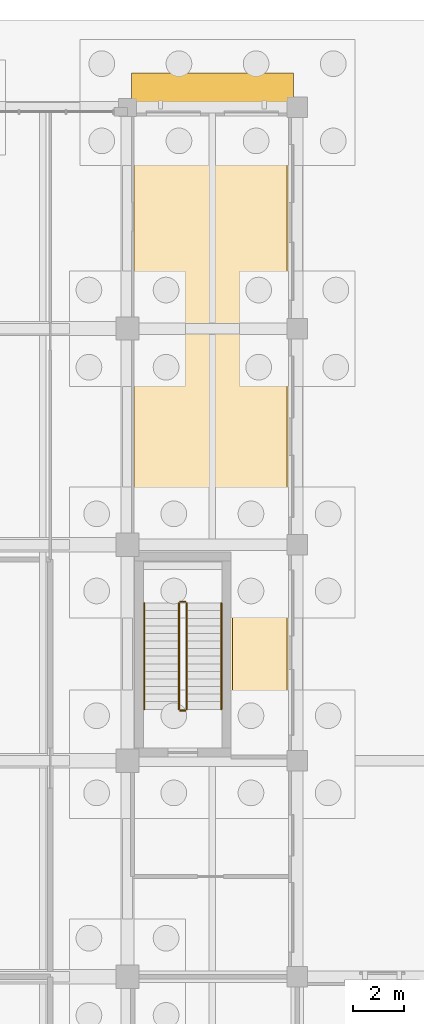
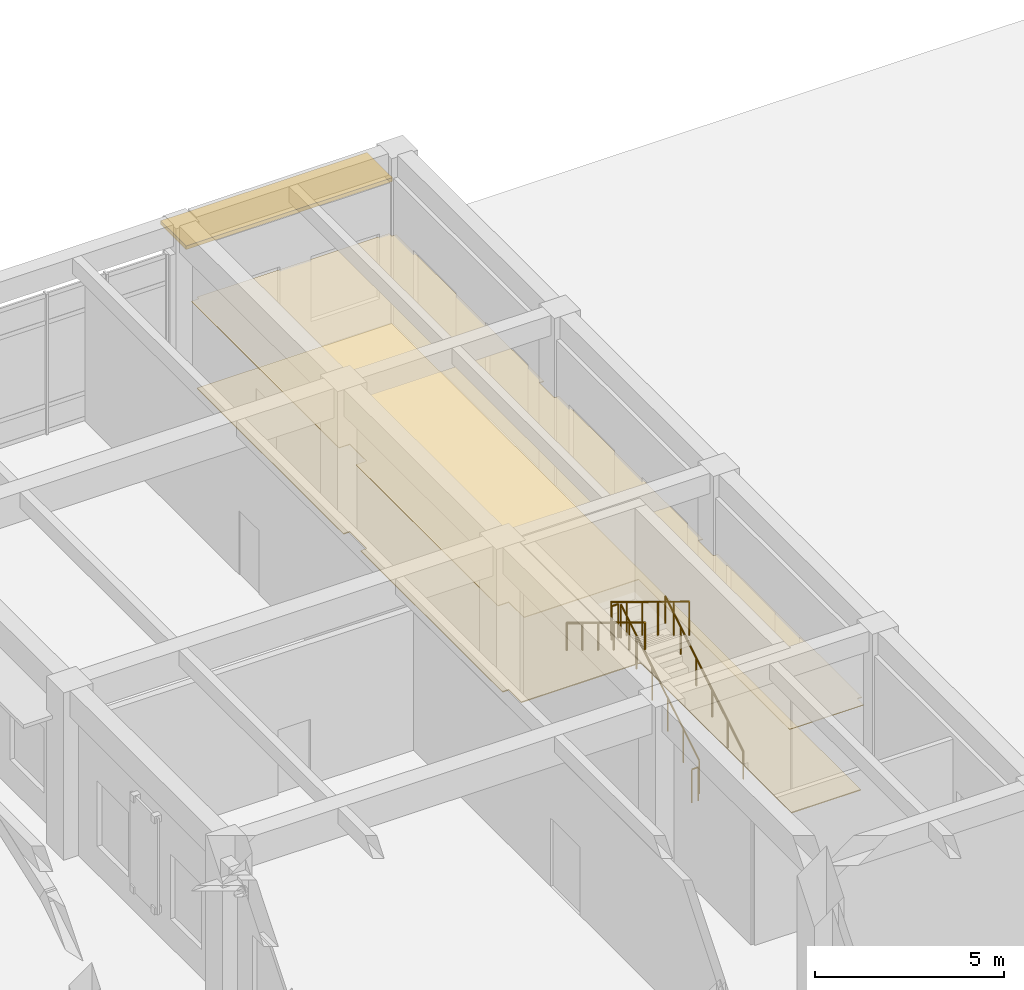
# One storey, part 81 of 82: 6 railings, 2 coverings, 1 shading device.
"""IFC4 building model written with IfcOpenShell, lengths in metres."""

from ifc_helpers import new_model, si_unit, direction, frame, origin, origin_2d, place, context, subcontext, project, spatial, polyline, rectangle, circle, outline, extrude, material, layer, layer_set, type_object, element, save


model = new_model("IFC4")

# Units and contexts
model_context = context("Model", 3, precision=1e-05, world=origin(), true_north=direction((0.0, 1.0)))
body_context = subcontext(model_context, "Body", "Model", "MODEL_VIEW")
ifc_project = project(units=[si_unit("LENGTHUNIT", "METRE"), si_unit("AREAUNIT", "SQUARE_METRE"), si_unit("VOLUMEUNIT", "CUBIC_METRE"), si_unit("PLANEANGLEUNIT", "RADIAN"), si_unit("MASSUNIT", "GRAM", prefix="KILO")], contexts=[model_context])

# Site, building, storey
site_placement = place(None, origin())
site = spatial("IfcSite", under=ifc_project, at=site_placement, CompositionType="ELEMENT")
building_placement = place(site_placement, origin())
building = spatial("IfcBuilding", under=site, at=building_placement, Name="Kolvaren Faculty of Natural Sciences", CompositionType="ELEMENT")
storey_placement = place(building_placement, origin())
storey = spatial("IfcBuildingStorey", under=building, at=storey_placement, Name="L00", CompositionType="ELEMENT", Elevation=0.0)

# Covering
ifc_material_1 = material(Name="Perforated mineral-fibre acoustic suspended ceiling tile")
ifc_layer_1 = layer(ifc_material_1, 0.02490234375)
ifc_layer_set_1 = layer_set([ifc_layer_1], Name="Perforated mineral-fibre acoustic suspended ceiling tile")
covering_type_1 = type_object("IfcCoveringType", Name="AcousticSuspendedCeiling_25", PredefinedType="CEILING", material=ifc_layer_set_1)
covering_1_placement = place(storey_placement, frame((0.0, 0.0, 2.824951171875)))
element("IfcCovering", 1, at=covering_1_placement, inside=storey, type_object=covering_type_1, Name="L00 Learning Commons Rare Book Archive acoustic ceiling", PredefinedType="CEILING", context=body_context, shape_type="SweptSolid", body=[
    extrude(outline(polyline([(132.64990234375, 100.64501953125), (132.64990234375, 101.449951171875), (132.320068359375, 101.449951171875), (132.320068359375, 108.949951171875), (132.64990234375, 108.949951171875), (132.64990234375, 109.85009765625), (132.320068359375, 109.85009765625), (132.320068359375, 117.64990234375), (132.550048828125, 117.64990234375), (132.550048828125, 117.739990234375), (138.39990234375, 117.739990234375), (138.39990234375, 117.60009765625), (138.5400390625, 117.60009765625), (138.5400390625, 109.800048828125), (138.39990234375, 109.800048828125), (138.39990234375, 109.0), (138.5400390625, 109.0), (138.5400390625, 101.39990234375), (138.39990234375, 101.39990234375), (138.39990234375, 100.60009765625), (138.5400390625, 100.60009765625), (138.5400390625, 93.0), (138.39990234375, 93.0), (138.39990234375, 92.669921875), (136.14501953125, 92.669921875), (136.14501953125, 100.64501953125), (132.64990234375, 100.64501953125)])), origin(), (0.0, 0.0, 1.0), 0.025146484375),
])

# Shading device
ifc_material_2 = material(Name="Precast concrete C35/45", Category="concrete")
ifc_layer_2 = layer(ifc_material_2, 0.1201171875)
ifc_layer_set_2 = layer_set([ifc_layer_2], Name="Precast concrete C35/45")
shading_device_type = type_object("IfcShadingDeviceType", Name="ChhajjaSolarHood_1350", PredefinedType="AWNING", material=ifc_layer_set_2)
shading_device_placement = place(storey_placement, frame((135.5, 118.655029296875, 4.294921875), z_axis=(0.0, 0.0, 1.0), x_axis=(1.0, 0.0, 0.0)))
element("IfcShadingDevice", 2, at=shading_device_placement, inside=storey, type_object=shading_device_type, Name="L00 precast sandstone chhajja solar hood 20", PredefinedType="AWNING", context=body_context, shape_type="SweptSolid", body=[
    extrude(rectangle(XDim=6.300048828125, YDim=1.35009765625, at=origin_2d()), origin(), (0.0, 0.0, 1.0), 0.1201171875),
])

# Railings
ifc_material_3 = material(Name="Structural steel EN 10210-1 S355J2H", Category="steel")
ifc_layer_3 = layer(ifc_material_3, 0.048095703125)
ifc_layer_set_3 = layer_set([ifc_layer_3], Name="Structural steel EN 10210-1 S355J2H")
railing_type_1 = type_object("IfcRailingType", Name="StairPitchHandrail_920", PredefinedType="HANDRAIL", material=ifc_layer_set_3)
railing_1_placement = place(storey_placement, frame((135.85009765625, 94.60009765625, 0.179931640625)))
element("IfcRailing", 3, at=railing_1_placement, inside=storey, type_object=railing_type_1, Name="L00 ST-7 stair handrail 1", PredefinedType="HANDRAIL", context=body_context, shape_type="SweptSolid", body=[
    extrude(circle(Radius=0.02392578125, at=origin_2d()), frame((0.0, 0.0, 0.8759765625), z_axis=(0.0, 0.853630913754, 0.520878357281), x_axis=(-1.0, 0.0, 0.0)), (0.0, 0.0, 1.0), 4.838134765625),
    extrude(circle(Radius=0.02099609375, at=origin_2d()), origin(), (0.0, 0.0, 1.0), 0.851806640625),
    extrude(circle(Radius=0.02099609375, at=origin_2d()), frame((0.0, 0.825927734375, 0.50390625)), (0.0, 0.0, 1.0), 0.851806640625),
    extrude(circle(Radius=0.02099609375, at=origin_2d()), frame((0.0, 1.65185546875, 1.008056640625)), (0.0, 0.0, 1.0), 0.851806640625),
    extrude(circle(Radius=0.02099609375, at=origin_2d()), frame((0.0, 2.47802734375, 1.511962890625)), (0.0, 0.0, 1.0), 0.851806640625),
    extrude(circle(Radius=0.02099609375, at=origin_2d()), frame((0.0, 3.303955078125, 2.01611328125)), (0.0, 0.0, 1.0), 0.851806640625),
    extrude(circle(Radius=0.02099609375, at=origin_2d()), frame((0.0, 4.1298828125, 2.52001953125)), (0.0, 0.0, 1.0), 0.851806640625),
])
railing_2_placement = place(storey_placement, frame((132.85009765625, 98.72998046875, 2.8798828125)))
element("IfcRailing", 4, at=railing_2_placement, inside=storey, type_object=railing_type_1, Name="L00 ST-7 stair handrail 2", PredefinedType="HANDRAIL", context=body_context, shape_type="SweptSolid", body=[
    extrude(circle(Radius=0.02392578125, at=origin_2d()), frame((0.0, 0.0, 0.8759765625), z_axis=(0.0, -0.853630913754, 0.520878357281), x_axis=(1.0, 0.0, 0.0)), (0.0, 0.0, 1.0), 4.838134765625),
    extrude(circle(Radius=0.02099609375, at=origin_2d()), origin(), (0.0, 0.0, 1.0), 0.851806640625),
    extrude(circle(Radius=0.02099609375, at=origin_2d()), frame((0.0, -0.825927734375, 0.50390625)), (0.0, 0.0, 1.0), 0.851806640625),
    extrude(circle(Radius=0.02099609375, at=origin_2d()), frame((0.0, -1.65185546875, 1.008056640625)), (0.0, 0.0, 1.0), 0.851806640625),
    extrude(circle(Radius=0.02099609375, at=origin_2d()), frame((0.0, -2.47802734375, 1.511962890625)), (0.0, 0.0, 1.0), 0.851806640625),
    extrude(circle(Radius=0.02099609375, at=origin_2d()), frame((0.0, -3.303955078125, 2.01611328125)), (0.0, 0.0, 1.0), 0.851806640625),
    extrude(circle(Radius=0.02099609375, at=origin_2d()), frame((0.0, -4.1298828125, 2.52001953125)), (0.0, 0.0, 1.0), 0.851806640625),
])
ifc_layer_4 = layer(ifc_material_3, 0.048095703125)
ifc_layer_set_4 = layer_set([ifc_layer_4], Name="Structural steel EN 10210-1 S355J2H")
railing_type_2 = type_object("IfcRailingType", Name="StairWellGuard_1100", PredefinedType="BALUSTRADE", material=ifc_layer_set_4)
railing_3_placement = place(storey_placement, frame((134.5, 94.60009765625, 0.179931640625)))
element("IfcRailing", 5, at=railing_3_placement, inside=storey, type_object=railing_type_2, Name="L00 ST-7 stair guard 1", PredefinedType="BALUSTRADE", context=body_context, shape_type="SweptSolid", body=[
    extrude(circle(Radius=0.02392578125, at=origin_2d()), frame((0.0, 0.0, 1.076171875), z_axis=(0.0, 0.853630913754, 0.520878357281), x_axis=(-1.0, 0.0, 0.0)), (0.0, 0.0, 1.0), 4.838134765625),
    extrude(circle(Radius=0.02099609375, at=origin_2d()), origin(), (0.0, 0.0, 1.0), 1.052001953125),
    extrude(circle(Radius=0.02099609375, at=origin_2d()), frame((0.0, 0.825927734375, 0.50390625)), (0.0, 0.0, 1.0), 1.052001953125),
    extrude(circle(Radius=0.02099609375, at=origin_2d()), frame((0.0, 1.65185546875, 1.008056640625)), (0.0, 0.0, 1.0), 1.052001953125),
    extrude(circle(Radius=0.02099609375, at=origin_2d()), frame((0.0, 2.47802734375, 1.511962890625)), (0.0, 0.0, 1.0), 1.052001953125),
    extrude(circle(Radius=0.02099609375, at=origin_2d()), frame((0.0, 3.303955078125, 2.01611328125)), (0.0, 0.0, 1.0), 1.052001953125),
    extrude(circle(Radius=0.02099609375, at=origin_2d()), frame((0.0, 4.1298828125, 2.52001953125)), (0.0, 0.0, 1.0), 1.052001953125),
])
railing_4_placement = place(storey_placement, frame((134.449951171875, 98.780029296875, 2.699951171875)))
element("IfcRailing", 6, at=railing_4_placement, inside=storey, type_object=railing_type_2, Name="L00 ST-7 stair guard 2", PredefinedType="BALUSTRADE", context=body_context, shape_type="SweptSolid", body=[
    extrude(circle(Radius=0.02392578125, at=origin_2d()), frame((0.0, 0.0, 1.076171875), z_axis=(-1.0, 0.0, 0.0), x_axis=(0.0, -1.0, 0.0)), (0.0, 0.0, 1.0), 0.199951171875),
    extrude(circle(Radius=0.02099609375, at=origin_2d()), origin(), (0.0, 0.0, 1.0), 1.052001953125),
    extrude(circle(Radius=0.02099609375, at=origin_2d()), frame((-0.199951171875, 0.0, 0.0)), (0.0, 0.0, 1.0), 1.052001953125),
])
railing_5_placement = place(storey_placement, frame((134.199951171875, 98.72998046875, 2.8798828125)))
element("IfcRailing", 7, at=railing_5_placement, inside=storey, type_object=railing_type_2, Name="L00 ST-7 stair guard 3", PredefinedType="BALUSTRADE", context=body_context, shape_type="SweptSolid", body=[
    extrude(circle(Radius=0.02392578125, at=origin_2d()), frame((0.0, 0.0, 1.076171875), z_axis=(0.0, -0.853630913754, 0.520878357281), x_axis=(1.0, 0.0, 0.0)), (0.0, 0.0, 1.0), 4.838134765625),
    extrude(circle(Radius=0.02099609375, at=origin_2d()), origin(), (0.0, 0.0, 1.0), 1.052001953125),
    extrude(circle(Radius=0.02099609375, at=origin_2d()), frame((0.0, -0.825927734375, 0.50390625)), (0.0, 0.0, 1.0), 1.052001953125),
    extrude(circle(Radius=0.02099609375, at=origin_2d()), frame((0.0, -1.65185546875, 1.008056640625)), (0.0, 0.0, 1.0), 1.052001953125),
    extrude(circle(Radius=0.02099609375, at=origin_2d()), frame((0.0, -2.47802734375, 1.511962890625)), (0.0, 0.0, 1.0), 1.052001953125),
    extrude(circle(Radius=0.02099609375, at=origin_2d()), frame((0.0, -3.303955078125, 2.01611328125)), (0.0, 0.0, 1.0), 1.052001953125),
    extrude(circle(Radius=0.02099609375, at=origin_2d()), frame((0.0, -4.1298828125, 2.52001953125)), (0.0, 0.0, 1.0), 1.052001953125),
])
railing_6_placement = place(storey_placement, frame((134.449951171875, 94.550048828125, 0.0)))
element("IfcRailing", 8, at=railing_6_placement, inside=storey, type_object=railing_type_2, Name="L00 ST-7 stair guard 4", PredefinedType="BALUSTRADE", context=body_context, shape_type="SweptSolid", body=[
    extrude(circle(Radius=0.02392578125, at=origin_2d()), frame((0.0, 0.0, 1.076171875), z_axis=(-1.0, 0.0, 0.0), x_axis=(0.0, -1.0, 0.0)), (0.0, 0.0, 1.0), 0.199951171875),
    extrude(circle(Radius=0.02099609375, at=origin_2d()), origin(), (0.0, 0.0, 1.0), 1.052001953125),
    extrude(circle(Radius=0.02099609375, at=origin_2d()), frame((-0.199951171875, 0.0, 0.0)), (0.0, 0.0, 1.0), 1.052001953125),
])

# Covering
ifc_material_4 = material(Name="Polished Uruguayan grey granite terrazzo flooring", Category="masonry")
ifc_layer_5 = layer(ifc_material_4, 0.030029296875)
ifc_layer_set_5 = layer_set([ifc_layer_5], Name="Polished Uruguayan grey granite terrazzo flooring")
covering_type_2 = type_object("IfcCoveringType", Name="TerrazzoFloorFinish_30", PredefinedType="FLOORING", material=ifc_layer_set_5)
covering_2_placement = place(storey_placement, origin())
element("IfcCovering", 9, at=covering_2_placement, inside=storey, type_object=covering_type_2, Name="L00 Learning Commons Rare Book Archive floor finish", PredefinedType="FLOORING", context=body_context, shape_type="SweptSolid", body=[
    extrude(outline(polyline([(132.4599609375, 108.949951171875), (132.64990234375, 108.949951171875), (132.64990234375, 109.85009765625), (132.4599609375, 109.85009765625), (132.4599609375, 117.60009765625), (138.39990234375, 117.60009765625), (138.39990234375, 109.800048828125), (138.39990234375, 109.0), (138.39990234375, 101.39990234375), (138.39990234375, 100.60009765625), (138.39990234375, 93.0), (138.39990234375, 92.81005859375), (136.284912109375, 92.81005859375), (136.284912109375, 100.72509765625), (136.28466796875, 100.73095703125), (136.28369140625, 100.73681640625), (136.282470703125, 100.742431640625), (136.280517578125, 100.748046875), (136.27783203125, 100.75341796875), (136.27490234375, 100.75830078125), (136.271484375, 100.76318359375), (136.267333984375, 100.767333984375), (136.26318359375, 100.771484375), (136.25830078125, 100.77490234375), (136.25341796875, 100.77783203125), (136.248046875, 100.780517578125), (136.242431640625, 100.782470703125), (136.23681640625, 100.78369140625), (136.23095703125, 100.78466796875), (136.22509765625, 100.784912109375), (132.64990234375, 100.784912109375), (132.64990234375, 101.449951171875), (132.4599609375, 101.449951171875), (132.4599609375, 108.949951171875)])), origin(), (0.0, 0.0, 1.0), 0.030029296875),
])

save(model, "model.ifc")
